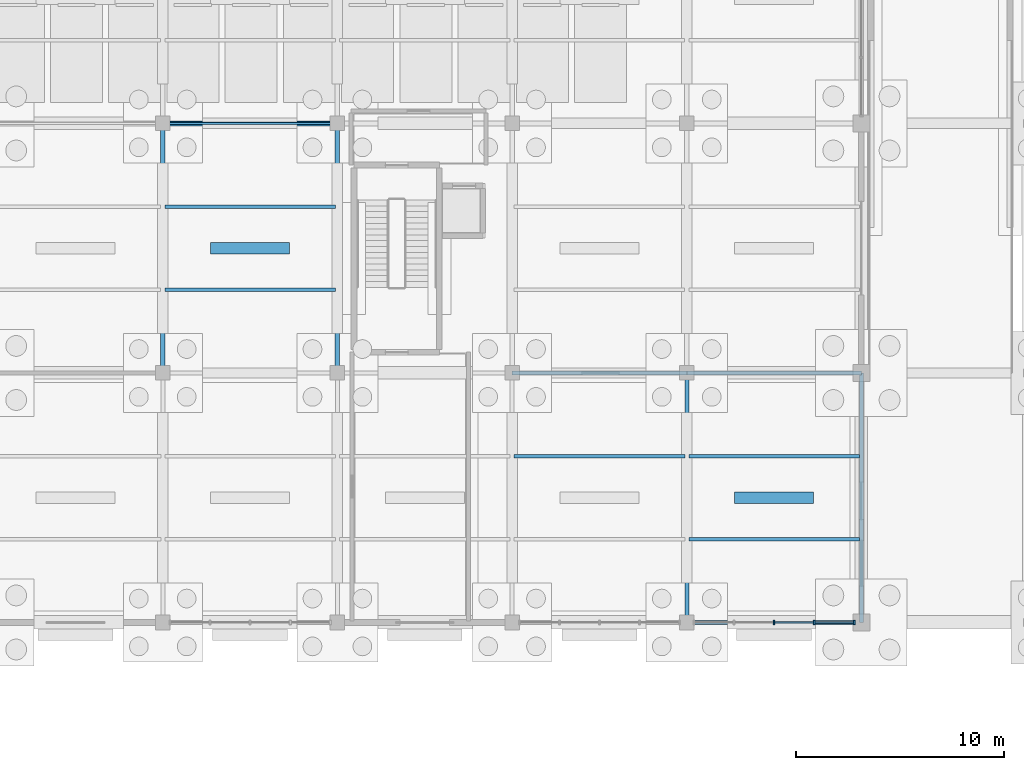
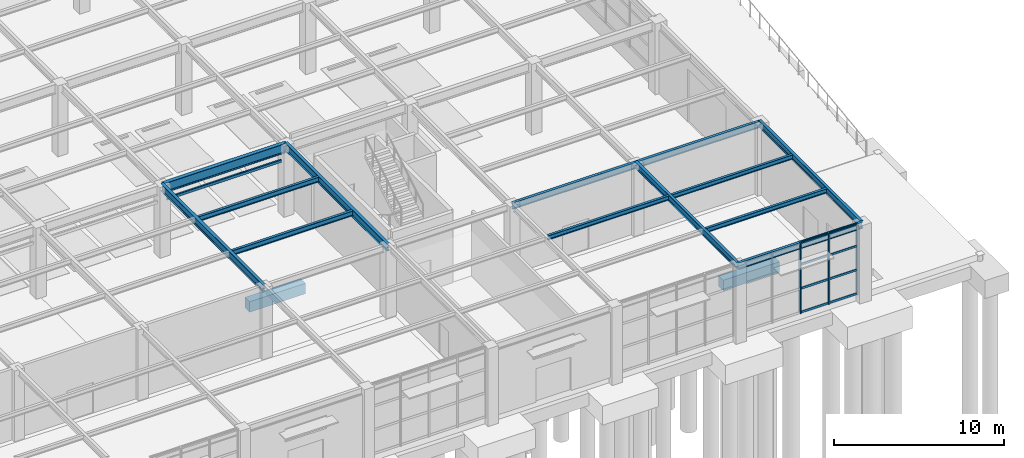
# One storey, part 65 of 129: 16 beams, 11 members, 1 element without a shape of its own.
"""IFC4 building model written with IfcOpenShell, lengths in metres."""

import ifcopenshell
import ifcopenshell.guid

model = None  # the IFC model being written
_history = None  # IfcOwnerHistory: only IFC2X3 demands one
_inside = {}  # id of a spatial element -> (the spatial element, [elements in it])
_under = {}  # id of a project, library or spatial element -> (it, [spatial elements below it])
_declared = {}  # id of a project -> (the project, [libraries it declares])
_typed = {}  # id of a type object -> (the type object, [elements of that type])
_made_of = {}  # id of a material, layer set ... -> (it, [elements and type objects made of it])


def new_model(schema):
    """Start an empty IFC model of exactly this schema.

    Asked for "IFC4X3", IfcOpenShell would pick the latest addendum, in which some entities
    have other attributes; the version numbers below select the first issue.
    IFC2X3 requires an IfcOwnerHistory on every rooted entity: one is made here for all.
    """
    global model, _history
    if schema == "IFC4X3":
        model = ifcopenshell.file(schema_version=(4, 3, 0, 0))
    else:
        model = ifcopenshell.file(schema=schema)
    _inside.clear()
    _under.clear()
    _declared.clear()
    _typed.clear()
    _made_of.clear()
    _history = None
    if model.schema == "IFC2X3":
        org = make("IfcOrganization", Name="unknown")
        user = make(
            "IfcPersonAndOrganization",
            ThePerson=make("IfcPerson", FamilyName="unknown"),
            TheOrganization=org,
        )
        app = make(
            "IfcApplication",
            ApplicationDeveloper=org,
            Version="unknown",
            ApplicationFullName="unknown",
            ApplicationIdentifier="unknown",
        )
        _history = make(
            "IfcOwnerHistory",
            OwningUser=user,
            OwningApplication=app,
            ChangeAction="ADDED",
            CreationDate=0,
        )
    return model


def make(cls, **values):
    """One entity of the class cls with the attributes given. An attribute that is None is left unset."""
    return model.create_entity(
        cls, **{name: value for name, value in values.items() if value is not None}
    )


def rooted(cls, **values):
    """An entity with a GlobalId (a new one), such as an element, a storey or a relation."""
    return make(cls, GlobalId=ifcopenshell.guid.new(), OwnerHistory=_history, **values)


def si_unit(unit_type, name, prefix=None):
    """IfcSIUnit, for example si_unit("LENGTHUNIT", "METRE", prefix="MILLI")."""
    return make("IfcSIUnit", UnitType=unit_type, Prefix=prefix, Name=name)


def assignment(units):
    """IfcUnitAssignment: the units of a project."""
    return None if units is None else make("IfcUnitAssignment", Units=units)


def point(xyz):
    """IfcCartesianPoint."""
    return None if xyz is None else make("IfcCartesianPoint", Coordinates=xyz)


def direction(xyz):
    """IfcDirection."""
    return None if xyz is None else make("IfcDirection", DirectionRatios=xyz)


def frame(location, z_axis=None, x_axis=None):
    """IfcAxis2Placement3D, a coordinate frame: its origin and axes. An axis left out is left unset."""
    return make(
        "IfcAxis2Placement3D",
        Location=point(location),
        Axis=direction(z_axis),
        RefDirection=direction(x_axis),
    )


def frame_2d(location, x_axis=None):
    """IfcAxis2Placement2D, a coordinate frame in the plane: its origin and x axis."""
    return make(
        "IfcAxis2Placement2D", Location=point(location), RefDirection=direction(x_axis)
    )


def origin():
    """The frame at (0, 0, 0) with its axes left unset."""
    return frame((0.0, 0.0, 0.0))


def origin_2d():
    """The frame at (0, 0) in the plane with its x axis left unset."""
    return frame_2d((0.0, 0.0))


def place(relative_to, where):
    """IfcLocalPlacement: puts the frame where relative to a parent placement (None: the world)."""
    return make(
        "IfcLocalPlacement", PlacementRelTo=relative_to, RelativePlacement=where
    )


def context(
    kind, dimensions, precision=None, world=None, true_north=None, identifier=None
):
    """IfcGeometricRepresentationContext, for example the 3D "Model" context."""
    return make(
        "IfcGeometricRepresentationContext",
        ContextIdentifier=identifier,
        ContextType=kind,
        CoordinateSpaceDimension=dimensions,
        Precision=precision,
        WorldCoordinateSystem=world,
        TrueNorth=true_north,
    )


def subcontext(parent, identifier, kind, view, scale=None):
    """IfcGeometricRepresentationSubContext, for example "Body" below "Model"."""
    return make(
        "IfcGeometricRepresentationSubContext",
        ContextIdentifier=identifier,
        ContextType=kind,
        ParentContext=parent,
        TargetScale=scale,
        TargetView=view,
    )


def project(units=None, contexts=None):
    """IfcProject with its units and contexts."""
    return rooted(
        "IfcProject",
        Name="project",
        RepresentationContexts=contexts,
        UnitsInContext=assignment(units),
    )


def spatial(cls, under=None, at=None, **own):
    """A site, building, storey or space (cls), placed at a placement, below another one or the project."""
    s = rooted(cls, ObjectPlacement=at, **own)
    if under is not None:
        _under.setdefault(under.id(), (under, []))[1].append(s)
    return s


def profile(cls, at=None, kind="AREA", **sizes):
    """A parametric profile (cls). Its sizes go by their IFC names, for example OverallWidth=200.0."""
    return make(cls, ProfileType=kind, Position=at, **sizes)


def rectangle(**sizes):
    """IfcRectangleProfileDef."""
    return profile("IfcRectangleProfileDef", **sizes)


def hollow_rectangle(**sizes):
    """IfcRectangleHollowProfileDef."""
    return profile("IfcRectangleHollowProfileDef", **sizes)


def i_section(**sizes):
    """IfcIShapeProfileDef."""
    return profile("IfcIShapeProfileDef", **sizes)


def extrude(swept, where, along, depth):
    """IfcExtrudedAreaSolid: the profile swept, set in the frame where, extruded along a direction by depth."""
    return make(
        "IfcExtrudedAreaSolid",
        SweptArea=swept,
        Position=where,
        ExtrudedDirection=direction(along),
        Depth=depth,
    )


def shape(context_of_items, identifier, shape_type, items):
    """IfcShapeRepresentation: the items that make up one representation, for example the "Body"."""
    return make(
        "IfcShapeRepresentation",
        ContextOfItems=context_of_items,
        RepresentationIdentifier=identifier,
        RepresentationType=shape_type,
        Items=items,
    )


def material(Name=None, Category=None):
    """IfcMaterial."""
    return make("IfcMaterial", Name=Name, Category=Category)


def layer(
    of_material, thickness, ventilated=None, Name=None, Category=None, Priority=None
):
    """IfcMaterialLayer: one layer of a wall or slab, of a material (None: an air gap)."""
    return make(
        "IfcMaterialLayer",
        Material=of_material,
        LayerThickness=thickness,
        IsVentilated=ventilated,
        Name=Name,
        Category=Category,
        Priority=Priority,
    )


def layer_set(layers, Name=None):
    """IfcMaterialLayerSet."""
    return make("IfcMaterialLayerSet", MaterialLayers=layers, LayerSetName=Name)


def material_profile(
    of_material, cross_section, Name=None, Category=None, Priority=None
):
    """IfcMaterialProfile: a cross section and its material."""
    return make(
        "IfcMaterialProfile",
        Name=Name,
        Material=of_material,
        Profile=cross_section,
        Priority=Priority,
        Category=Category,
    )


def profile_set(profiles, Name=None, composite=None):
    """IfcMaterialProfileSet."""
    return make(
        "IfcMaterialProfileSet",
        Name=Name,
        MaterialProfiles=profiles,
        CompositeProfile=composite,
    )


def made_of(thing, what):
    """Note that an element or type object is made of a material, layer set ...; save() writes the relation."""
    if what is not None:
        _made_of.setdefault(what.id(), (what, []))[1].append(thing)
    return thing


def type_object(cls, material=None, **own):
    """A type object (cls), such as IfcWallType, which elements share."""
    return made_of(rooted(cls, **own), material)


def element(
    cls,
    number,
    at=None,
    inside=None,
    cuts=None,
    type_object=None,
    material=None,
    context=None,
    identifier="Body",
    shape_type=None,
    held_by="IfcProductDefinitionShape",
    body=None,
    shapes=None,
    **own,
):
    """One element of the class cls, such as IfcWall. Its Tag is "e" and its number.

    at: its placement. inside: the storey or other place that contains it. cuts: it is an
    opening in that element (IfcRelVoidsElement). A single representation is given by context,
    identifier, shape_type and body (its items); several are given by shapes. held_by: the class
    of the entity that holds the representations. save() writes the other relations.
    """
    e = rooted(cls, Tag="e%d" % number, ObjectPlacement=at, **own)
    if body is not None:
        shapes = [shape(context, identifier, shape_type, body)]
    if shapes is not None:
        e.Representation = make(held_by, Representations=shapes)
    if inside is not None:
        _inside.setdefault(inside.id(), (inside, []))[1].append(e)
    if cuts is not None:
        rooted(
            "IfcRelVoidsElement", RelatingBuildingElement=cuts, RelatedOpeningElement=e
        )
    if type_object is not None:
        _typed.setdefault(type_object.id(), (type_object, []))[1].append(e)
    return made_of(e, material)


def aggregate(whole, parts):
    """IfcRelAggregates: a whole, such as a stair, and the parts it consists of."""
    return rooted("IfcRelAggregates", RelatingObject=whole, RelatedObjects=parts)


def save(model, path):
    """Write the relations noted so far, then the file.

    IfcRelAggregates (storeys below a building ...), IfcRelContainedInSpatialStructure (elements
    in a storey), IfcRelDefinesByType, IfcRelAssociatesMaterial and IfcRelDeclares: one each for
    every whole, place, type object, material and project.
    """
    for whole, parts in _under.values():
        aggregate(whole, parts)
    for where, things in _inside.values():
        rooted(
            "IfcRelContainedInSpatialStructure",
            RelatedElements=things,
            RelatingStructure=where,
        )
    for kind, things in _typed.values():
        rooted("IfcRelDefinesByType", RelatedObjects=things, RelatingType=kind)
    for what, things in _made_of.values():
        rooted("IfcRelAssociatesMaterial", RelatedObjects=things, RelatingMaterial=what)
    for by, libraries in _declared.values():
        rooted("IfcRelDeclares", RelatingContext=by, RelatedDefinitions=libraries)
    model.write(path)


model = new_model("IFC4")

# Units and contexts
model_context = context("Model", 3, precision=1e-05, world=origin(), true_north=direction((0.0, 1.0)))
body_context = subcontext(model_context, "Body", "Model", "MODEL_VIEW")
ifc_project = project(units=[si_unit("LENGTHUNIT", "METRE"), si_unit("AREAUNIT", "SQUARE_METRE"), si_unit("VOLUMEUNIT", "CUBIC_METRE"), si_unit("PLANEANGLEUNIT", "RADIAN"), si_unit("MASSUNIT", "GRAM", prefix="KILO")], contexts=[model_context])

# Site, building, storey
site_placement = place(None, origin())
site = spatial("IfcSite", under=ifc_project, at=site_placement, CompositionType="ELEMENT")
building_placement = place(site_placement, origin())
building = spatial("IfcBuilding", under=site, at=building_placement, Name="Sitalva Quay Ferry Terminal", CompositionType="ELEMENT")
storey_placement = place(building_placement, origin())
storey = spatial("IfcBuildingStorey", under=building, at=storey_placement, Name="L01", CompositionType="ELEMENT", Elevation=0.0)

# Beams
ifc_material_1 = material(Name="Structural Steel S355JR", Category="steel")
ifc_material_profile_1 = material_profile(ifc_material_1, i_section(OverallWidth=0.19091796875, OverallDepth=0.4599609375, WebThickness=0.010009765625, FlangeThickness=0.01611328125, FilletRadius=0.013916015625, at=origin_2d()), Name="W460x82")
ifc_profile_set_1 = profile_set([ifc_material_profile_1], Name="Structural Steel S355JR")
beam_type_1 = type_object("IfcBeamType", Name="Beam_W460x82", PredefinedType="BEAM", material=ifc_profile_set_1)
beam_1_placement = place(storey_placement, frame((159.60009765625, 6.0, 4.889892578125), z_axis=(1.0, 0.0, 0.0), x_axis=(0.0, 1.0, 0.0)))
element("IfcBeam", 1, at=beam_1_placement, inside=storey, type_object=beam_type_1, Name="L01 Primary X girder 0196", PredefinedType="BEAM", context=body_context, shape_type="SweptSolid", body=[
    extrude(i_section(OverallWidth=0.19091796875, OverallDepth=0.4599609375, WebThickness=0.010009765625, FlangeThickness=0.01611328125, FilletRadius=0.013916015625, at=origin_2d()), origin(), (0.0, 0.0, 1.0), 8.39990234375),
])
beam_2_placement = place(storey_placement, frame((151.199951171875, 18.0, 4.85009765625), z_axis=(1.0, 0.0, 0.0), x_axis=(0.0, 1.0, 0.0)))
element("IfcBeam", 2, at=beam_2_placement, inside=storey, type_object=beam_type_1, Name="L01 Primary X girder 0205", PredefinedType="BEAM", context=body_context, shape_type="SweptSolid", body=[
    extrude(i_section(OverallWidth=0.19091796875, OverallDepth=0.4599609375, WebThickness=0.010009765625, FlangeThickness=0.01611328125, FilletRadius=0.013916015625, at=origin_2d()), origin(), (0.0, 0.0, 1.0), 8.400146484375),
])
beam_3_placement = place(storey_placement, frame((159.60009765625, 18.0, 4.85009765625), z_axis=(1.0, 0.0, 0.0), x_axis=(0.0, 1.0, 0.0)))
element("IfcBeam", 3, at=beam_3_placement, inside=storey, type_object=beam_type_1, Name="L01 Primary X girder 0206", PredefinedType="BEAM", context=body_context, shape_type="SweptSolid", body=[
    extrude(i_section(OverallWidth=0.19091796875, OverallDepth=0.4599609375, WebThickness=0.010009765625, FlangeThickness=0.01611328125, FilletRadius=0.013916015625, at=origin_2d()), origin(), (0.0, 0.0, 1.0), 8.39990234375),
])
for number, where, z_axis, x_axis, name in (
    (4, (159.60009765625, 6.0, 4.889892578125), (0.0, 1.0, 0.0), (-1.0, 0.0, 0.0), "L01 Primary Y girder 0215"),
    (5, (168.0, 6.0, 4.889892578125), (0.0, 1.0, 0.0), (-1.0, 0.0, 0.0), "L01 Primary Y girder 0216"),
):
    element("IfcBeam", number, at=place(storey_placement, frame(where, z_axis=z_axis, x_axis=x_axis)), inside=storey, type_object=beam_type_1, Name=name, PredefinedType="BEAM", context=body_context, shape_type="SweptSolid", body=[
        extrude(i_section(OverallWidth=0.19091796875, OverallDepth=0.4599609375, WebThickness=0.010009765625, FlangeThickness=0.01611328125, FilletRadius=0.013916015625, at=origin_2d()), origin(), (0.0, 0.0, 1.0), 12.0),
    ])
ifc_material_2 = material(Name="Structural Steel S355JR", Category="steel")
ifc_material_profile_2 = material_profile(ifc_material_2, i_section(OverallWidth=0.2119140625, OverallDepth=0.5439453125, WebThickness=0.01318359375, FlangeThickness=0.021240234375, FilletRadius=0.014892578125, at=origin_2d()), Name="W530x123")
ifc_profile_set_2 = profile_set([ifc_material_profile_2], Name="Structural Steel S355JR")
beam_type_2 = type_object("IfcBeamType", Name="Girder_W530x123", PredefinedType="USERDEFINED", material=ifc_profile_set_2)
for number, where, z_axis, x_axis, name in (
    (6, (134.39990234375, 18.0, 4.80810546875), (0.0, 1.0, 0.0), (-1.0, 0.0, 0.0), "L01 Primary Y girder 0315"),
    (7, (142.800048828125, 18.0, 4.80810546875), (0.0, 1.0, 0.0), (-1.0, 0.0, 0.0), "L01 Primary Y girder 0320"),
):
    element("IfcBeam", number, at=place(storey_placement, frame(where, z_axis=z_axis, x_axis=x_axis)), inside=storey, type_object=beam_type_2, Name=name, ObjectType="GIRDER", PredefinedType="USERDEFINED", context=body_context, shape_type="SweptSolid", body=[
        extrude(i_section(OverallWidth=0.2119140625, OverallDepth=0.5439453125, WebThickness=0.01318359375, FlangeThickness=0.021240234375, FilletRadius=0.014892578125, at=origin_2d()), origin(), (0.0, 0.0, 1.0), 12.0),
    ])
ifc_material_3 = material(Name="Structural Steel S355JR", Category="steel")
ifc_material_profile_3 = material_profile(ifc_material_3, i_section(OverallWidth=0.256103515625, OverallDepth=0.693115234375, WebThickness=0.014404296875, FlangeThickness=0.023681640625, FilletRadius=0.01806640625, at=origin_2d()), Name="W690x170")
ifc_profile_set_3 = profile_set([ifc_material_profile_3], Name="Structural Steel S355JR")
beam_type_3 = type_object("IfcBeamType", Name="Girder_W690x170", PredefinedType="USERDEFINED", material=ifc_profile_set_3)
beam_4_placement = place(storey_placement, frame((134.39990234375, 30.0, 4.7333984375), z_axis=(1.0, 0.0, 0.0), x_axis=(0.0, 1.0, 0.0)))
element("IfcBeam", 8, at=beam_4_placement, inside=storey, type_object=beam_type_3, Name="L01 Primary X girder 0243", ObjectType="GIRDER", PredefinedType="USERDEFINED", context=body_context, shape_type="SweptSolid", body=[
    extrude(i_section(OverallWidth=0.256103515625, OverallDepth=0.693115234375, WebThickness=0.014404296875, FlangeThickness=0.023681640625, FilletRadius=0.01806640625, at=origin_2d()), origin(), (0.0, 0.0, 1.0), 8.400146484375),
])
ifc_material_4 = material(Name="Structural Steel S355JR", Category="steel")
ifc_material_profile_4 = material_profile(ifc_material_4, i_section(OverallWidth=0.166015625, OverallDepth=0.31298828125, WebThickness=0.006591796875, FlangeThickness=0.01123046875, FilletRadius=0.010986328125, at=origin_2d()), Name="W310x45")
ifc_profile_set_4 = profile_set([ifc_material_profile_4], Name="Structural Steel S355JR")
beam_type_4 = type_object("IfcBeamType", Name="Joist_W310x45", PredefinedType="JOIST", material=ifc_profile_set_4)
for number, where, z_axis, x_axis, name in (
    (9, (159.695556640625, 10.0, 4.96337890625), (1.0, 0.0, 0.0), (0.0, 1.0, 0.0), "L01 Secondary joist 0226"),
    (10, (151.29541015625, 14.0, 4.96337890625), (1.0, 0.0, 0.0), (0.0, 1.0, 0.0), "L01 Secondary joist 0235"),
    (11, (159.695556640625, 14.0, 4.96337890625), (1.0, 0.0, 0.0), (0.0, 1.0, 0.0), "L01 Secondary joist 0236"),
):
    element("IfcBeam", number, at=place(storey_placement, frame(where, z_axis=z_axis, x_axis=x_axis)), inside=storey, type_object=beam_type_4, Name=name, PredefinedType="JOIST", context=body_context, shape_type="SweptSolid", body=[
        extrude(i_section(OverallWidth=0.166015625, OverallDepth=0.31298828125, WebThickness=0.006591796875, FlangeThickness=0.01123046875, FilletRadius=0.010986328125, at=origin_2d()), origin(), (0.0, 0.0, 1.0), 8.208984375),
    ])
ifc_material_5 = material(Name="Structural Steel S355JR", Category="steel")
ifc_material_profile_5 = material_profile(ifc_material_5, i_section(OverallWidth=0.172119140625, OverallDepth=0.35791015625, WebThickness=0.0078125, FlangeThickness=0.01318359375, FilletRadius=0.011962890625, at=origin_2d()), Name="W360x57")
ifc_profile_set_5 = profile_set([ifc_material_profile_5], Name="Structural Steel S355JR")
beam_type_5 = type_object("IfcBeamType", Name="Joist_W360x57", PredefinedType="JOIST", material=ifc_profile_set_5)
for number, where, z_axis, x_axis, name in (
    (12, (134.5, 22.0, 4.90087890625), (1.0, 0.0, 0.0), (0.0, 1.0, 0.0), "L01 Secondary joist 0346"),
    (13, (134.5, 26.0, 4.90087890625), (1.0, 0.0, 0.0), (0.0, 1.0, 0.0), "L01 Secondary joist 0355"),
):
    element("IfcBeam", number, at=place(storey_placement, frame(where, z_axis=z_axis, x_axis=x_axis)), inside=storey, type_object=beam_type_5, Name=name, PredefinedType="JOIST", context=body_context, shape_type="SweptSolid", body=[
        extrude(i_section(OverallWidth=0.172119140625, OverallDepth=0.35791015625, WebThickness=0.0078125, FlangeThickness=0.01318359375, FilletRadius=0.011962890625, at=origin_2d()), origin(), (0.0, 0.0, 1.0), 8.199951171875),
    ])
ifc_material_6 = material(Name="Structural Steel S355JR", Category="steel")
ifc_material_profile_6 = material_profile(ifc_material_6, hollow_rectangle(XDim=0.1201171875, YDim=0.199951171875, WallThickness=0.008056640625, InnerFilletRadius=0.008056640625, OuterFilletRadius=0.01611328125, at=origin_2d()), Name="RHS200x120x8")
ifc_profile_set_6 = profile_set([ifc_material_profile_6], Name="Structural Steel S355JR")
beam_type_6 = type_object("IfcBeamType", Name="Lintel_RHS200x120", PredefinedType="LINTEL", material=ifc_profile_set_6)
beam_5_placement = place(storey_placement, frame((134.719970703125, 30.0, 3.85009765625), z_axis=(1.0, 0.0, 0.0), x_axis=(0.0, 1.0, 0.0)))
element("IfcBeam", 14, at=beam_5_placement, inside=storey, type_object=beam_type_6, Name="Ro-Ro clearance portal lintel 06", PredefinedType="LINTEL", context=body_context, shape_type="SweptSolid", body=[
    extrude(hollow_rectangle(XDim=0.1201171875, YDim=0.199951171875, WallThickness=0.008056640625, InnerFilletRadius=0.008056640625, OuterFilletRadius=0.01611328125, at=origin_2d()), origin(), (0.0, 0.0, 1.0), 7.760009765625),
])

# Curtain wall, members
ifc_material_7 = material(Name="Anodised Aluminium & Low-E Glazing", Category="aluminium")
ifc_layer = layer(ifc_material_7, 0.159912109375)
ifc_layer_set = layer_set([ifc_layer], Name="Anodised Aluminium & Low-E Glazing")
curtain_wall_type = type_object("IfcCurtainWallType", Name="CW_Concourse_Unitised", PredefinedType="USERDEFINED", material=ifc_layer_set)
curtain_wall_placement = place(storey_placement, origin())
curtain_wall = element("IfcCurtainWall", 15, at=curtain_wall_placement, inside=storey, type_object=curtain_wall_type, Name="South-east quay concourse curtain wall (CW-L01-072)", ObjectType="CURTAIN_WALL", PredefinedType="USERDEFINED")
ifc_material_8 = material(Name="Anodised Aluminium 6063-T6", Category="aluminium")
ifc_material_profile_7 = material_profile(ifc_material_8, rectangle(XDim=0.0849609375, YDim=0.2099609375, at=origin_2d()), Name="ALU85x210")
ifc_profile_set_7 = profile_set([ifc_material_profile_7], Name="Anodised Aluminium 6063-T6")
member_type_1 = type_object("IfcMemberType", Name="Mullion_Alu_85x210", PredefinedType="MULLION", material=ifc_profile_set_7)
member_1_placement = place(storey_placement, frame((163.800048828125, 6.0, 0.0), z_axis=(0.0, 0.0, 1.0), x_axis=(1.0, 0.0, 0.0)))
member_1 = element("IfcMember", 16, at=member_1_placement, type_object=member_type_1, Name="CW-L01-072-M2", PredefinedType="MULLION", context=body_context, shape_type="SweptSolid", body=[
    extrude(rectangle(XDim=0.0849609375, YDim=0.2099609375, at=origin_2d()), origin(), (0.0, 0.0, 1.0), 5.1201171875),
])
member_2_placement = place(storey_placement, frame((165.72509765625, 6.0, 0.0), z_axis=(0.0, 0.0, 1.0), x_axis=(1.0, 0.0, 0.0)))
member_2 = element("IfcMember", 17, at=member_2_placement, type_object=member_type_1, Name="CW-L01-072-M3", PredefinedType="MULLION", context=body_context, shape_type="SweptSolid", body=[
    extrude(rectangle(XDim=0.0849609375, YDim=0.2099609375, at=origin_2d()), origin(), (0.0, 0.0, 1.0), 5.1201171875),
])
member_3_placement = place(storey_placement, frame((167.64990234375, 6.0, 0.0), z_axis=(0.0, 0.0, 1.0), x_axis=(1.0, 0.0, 0.0)))
member_3 = element("IfcMember", 18, at=member_3_placement, type_object=member_type_1, Name="CW-L01-072-M4", PredefinedType="MULLION", context=body_context, shape_type="SweptSolid", body=[
    extrude(rectangle(XDim=0.0849609375, YDim=0.2099609375, at=origin_2d()), origin(), (0.0, 0.0, 1.0), 5.1201171875),
])

# Beams
ifc_material_9 = material(Name="Concrete C35/45", Category="concrete")
ifc_material_profile_8 = material_profile(ifc_material_9, rectangle(XDim=0.550048828125, YDim=0.75, at=origin_2d()), Name="RC550x750")
ifc_profile_set_8 = profile_set([ifc_material_profile_8], Name="Concrete C35/45")
beam_type_7 = type_object("IfcBeamType", Name="TBeam_Quay_RC550x750", PredefinedType="T_BEAM", material=ifc_profile_set_8)
for number, where, z_axis, x_axis, name in (
    (19, (161.89990234375, 12.0, -0.824951171875), (1.0, 0.0, 0.0), (0.0, 1.0, 0.0), "L01 Ro-Ro quay deck T-beam 0047"),
    (20, (136.699951171875, 24.0, -0.824951171875), (1.0, 0.0, 0.0), (0.0, 1.0, 0.0), "L01 Ro-Ro quay deck T-beam 0057"),
):
    element("IfcBeam", number, at=place(storey_placement, frame(where, z_axis=z_axis, x_axis=x_axis)), inside=storey, type_object=beam_type_7, Name=name, PredefinedType="T_BEAM", context=body_context, shape_type="SweptSolid", body=[
        extrude(rectangle(XDim=0.550048828125, YDim=0.75, at=origin_2d()), origin(), (0.0, 0.0, 1.0), 3.800048828125),
    ])

# Member
ifc_material_10 = material(Name="Anodised Aluminium 6063-T6", Category="aluminium")
ifc_material_profile_9 = material_profile(ifc_material_10, rectangle(XDim=0.074951171875, YDim=0.14990234375, at=origin_2d()), Name="ALU75x150")
ifc_profile_set_9 = profile_set([ifc_material_profile_9], Name="Anodised Aluminium 6063-T6")
member_type_2 = type_object("IfcMemberType", Name="Transom_Alu_75x140", PredefinedType="MULLION", material=ifc_profile_set_9)
member_4_placement = place(storey_placement, frame((163.842529296875, 6.0, 0.074951171875), z_axis=(1.0, 0.0, 0.0), x_axis=(0.0, 1.0, 0.0)))
member_4 = element("IfcMember", 21, at=member_4_placement, type_object=member_type_2, Name="CW-L01-072-T2-0", ObjectType="TRANSOM", PredefinedType="USERDEFINED", context=body_context, shape_type="SweptSolid", body=[
    extrude(rectangle(XDim=0.074951171875, YDim=0.14990234375, at=origin_2d()), origin(), (0.0, 0.0, 1.0), 1.840087890625),
])

member_5_placement = place(storey_placement, frame((163.842529296875, 6.0, 1.78173828125), z_axis=(1.0, 0.0, 0.0), x_axis=(0.0, 1.0, 0.0)))
member_5 = element("IfcMember", 22, at=member_5_placement, type_object=member_type_2, Name="CW-L01-072-T2-1", ObjectType="TRANSOM", PredefinedType="USERDEFINED", context=body_context, shape_type="SweptSolid", body=[
    extrude(rectangle(XDim=0.074951171875, YDim=0.14990234375, at=origin_2d()), origin(), (0.0, 0.0, 1.0), 1.840087890625),
])

member_6_placement = place(storey_placement, frame((163.842529296875, 6.0, 3.48828125), z_axis=(1.0, 0.0, 0.0), x_axis=(0.0, 1.0, 0.0)))
member_6 = element("IfcMember", 23, at=member_6_placement, type_object=member_type_2, Name="CW-L01-072-T2-2", ObjectType="TRANSOM", PredefinedType="USERDEFINED", context=body_context, shape_type="SweptSolid", body=[
    extrude(rectangle(XDim=0.074951171875, YDim=0.14990234375, at=origin_2d()), origin(), (0.0, 0.0, 1.0), 1.840087890625),
])

member_7_placement = place(storey_placement, frame((163.842529296875, 6.0, 5.044921875), z_axis=(1.0, 0.0, 0.0), x_axis=(0.0, 1.0, 0.0)))
member_7 = element("IfcMember", 24, at=member_7_placement, type_object=member_type_2, Name="CW-L01-072-T2-3", ObjectType="TRANSOM", PredefinedType="USERDEFINED", context=body_context, shape_type="SweptSolid", body=[
    extrude(rectangle(XDim=0.074951171875, YDim=0.14990234375, at=origin_2d()), origin(), (0.0, 0.0, 1.0), 1.840087890625),
])

member_8_placement = place(storey_placement, frame((165.767578125, 6.0, 0.074951171875), z_axis=(1.0, 0.0, 0.0), x_axis=(0.0, 1.0, 0.0)))
member_8 = element("IfcMember", 25, at=member_8_placement, type_object=member_type_2, Name="CW-L01-072-T3-0", ObjectType="TRANSOM", PredefinedType="USERDEFINED", context=body_context, shape_type="SweptSolid", body=[
    extrude(rectangle(XDim=0.074951171875, YDim=0.14990234375, at=origin_2d()), origin(), (0.0, 0.0, 1.0), 1.83984375),
])

member_9_placement = place(storey_placement, frame((165.767578125, 6.0, 1.78173828125), z_axis=(1.0, 0.0, 0.0), x_axis=(0.0, 1.0, 0.0)))
member_9 = element("IfcMember", 26, at=member_9_placement, type_object=member_type_2, Name="CW-L01-072-T3-1", ObjectType="TRANSOM", PredefinedType="USERDEFINED", context=body_context, shape_type="SweptSolid", body=[
    extrude(rectangle(XDim=0.074951171875, YDim=0.14990234375, at=origin_2d()), origin(), (0.0, 0.0, 1.0), 1.83984375),
])

member_10_placement = place(storey_placement, frame((165.767578125, 6.0, 3.48828125), z_axis=(1.0, 0.0, 0.0), x_axis=(0.0, 1.0, 0.0)))
member_10 = element("IfcMember", 27, at=member_10_placement, type_object=member_type_2, Name="CW-L01-072-T3-2", ObjectType="TRANSOM", PredefinedType="USERDEFINED", context=body_context, shape_type="SweptSolid", body=[
    extrude(rectangle(XDim=0.074951171875, YDim=0.14990234375, at=origin_2d()), origin(), (0.0, 0.0, 1.0), 1.83984375),
])

member_11_placement = place(storey_placement, frame((165.767578125, 6.0, 5.044921875), z_axis=(1.0, 0.0, 0.0), x_axis=(0.0, 1.0, 0.0)))
member_11 = element("IfcMember", 28, at=member_11_placement, type_object=member_type_2, Name="CW-L01-072-T3-3", ObjectType="TRANSOM", PredefinedType="USERDEFINED", context=body_context, shape_type="SweptSolid", body=[
    extrude(rectangle(XDim=0.074951171875, YDim=0.14990234375, at=origin_2d()), origin(), (0.0, 0.0, 1.0), 1.83984375),
])

aggregate(curtain_wall, [member_1, member_2, member_3, member_4, member_5, member_6, member_7, member_8, member_9, member_10, member_11])

save(model, "model.ifc")
